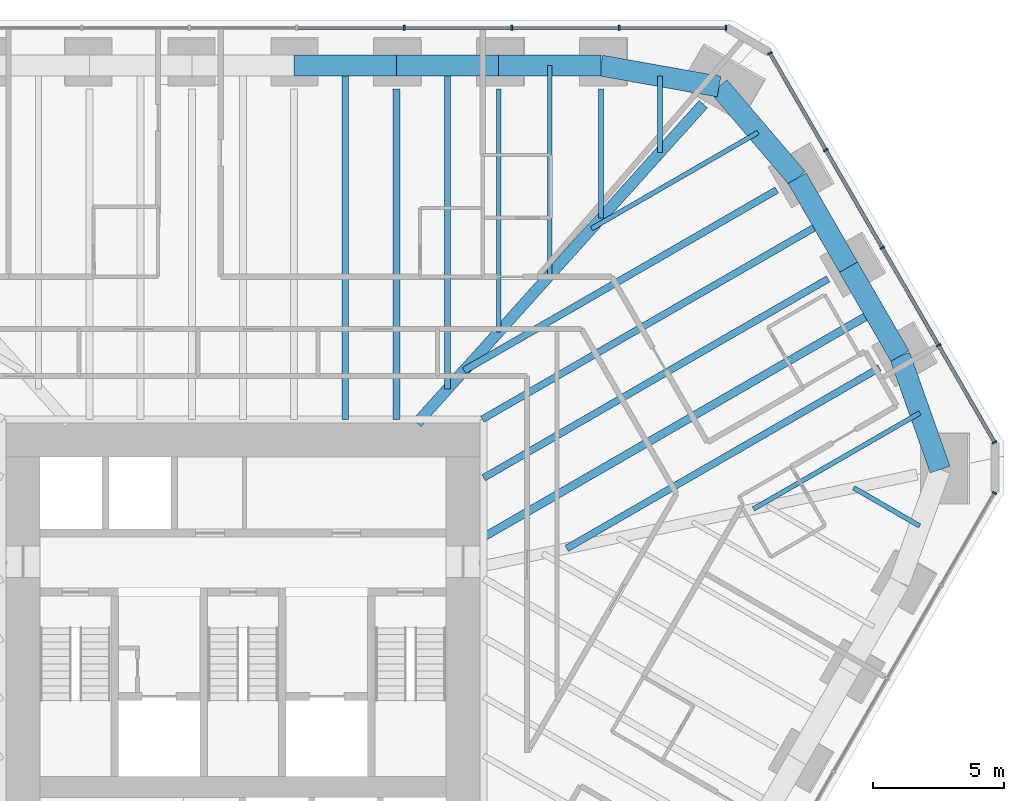
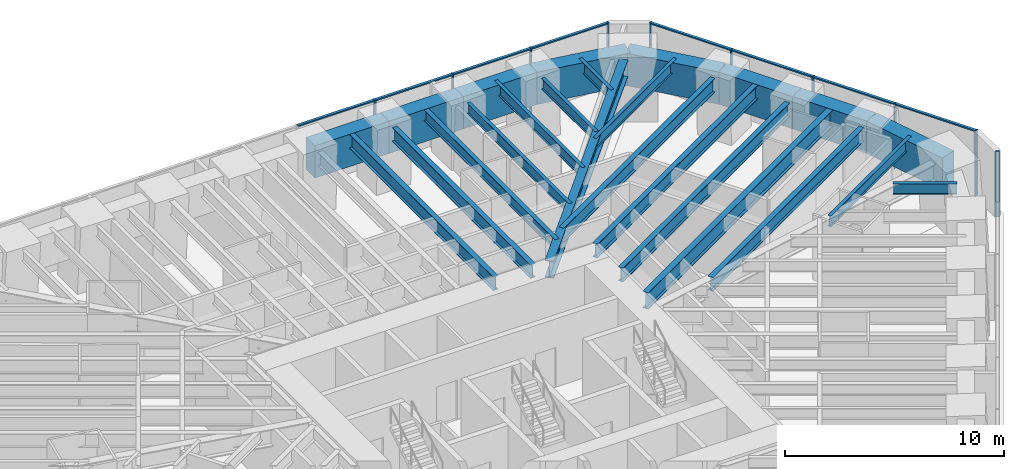
# One storey, part 9 of 17: 24 beams, 18 members, 3 elements without a shape of their own.
"""IFC4 building model written with IfcOpenShell, lengths in metres."""

from ifc_helpers import new_model, si_unit, direction, frame, origin, origin_2d, place, context, subcontext, project, spatial, rectangle, i_section, extrude, material, material_profile, profile_set, type_object, element, aggregate, save


model = new_model("IFC4")

# Units and contexts
model_context = context("Model", 3, precision=1e-05, world=origin(), true_north=direction((0.0, 1.0)))
body_context = subcontext(model_context, "Body", "Model", "MODEL_VIEW")
ifc_project = project(units=[si_unit("LENGTHUNIT", "METRE"), si_unit("AREAUNIT", "SQUARE_METRE"), si_unit("VOLUMEUNIT", "CUBIC_METRE"), si_unit("PLANEANGLEUNIT", "RADIAN"), si_unit("MASSUNIT", "GRAM", prefix="KILO")], contexts=[model_context])

# Site, building, storey
site_placement = place(None, origin())
site = spatial("IfcSite", under=ifc_project, at=site_placement, CompositionType="ELEMENT")
building_placement = place(site_placement, origin())
building = spatial("IfcBuilding", under=site, at=building_placement, Name="Sandreach Pilgrim Tower", CompositionType="ELEMENT")
storey_placement = place(building_placement, frame((0.0, 0.0, 150.0)))
storey = spatial("IfcBuildingStorey", under=building, at=storey_placement, Name="L37", CompositionType="ELEMENT", Elevation=150.0)

# Curtain wall, members
ifc_material_1 = material(Name="Aluminium framed curtain wall", Category="aluminium")
curtain_wall_type = type_object("IfcCurtainWallType", Name="Hotel tower curtain wall", PredefinedType="NOTDEFINED", material=ifc_material_1)
curtain_wall_1_placement = place(storey_placement, origin())
curtain_wall_1 = element("IfcCurtainWall", 1, at=curtain_wall_1_placement, inside=storey, type_object=curtain_wall_type, Name="CW-2 L37 N", PredefinedType="NOTDEFINED")
ifc_material_2 = material(Name="Aluminium extrusion", Category="aluminium")
ifc_material_profile_1 = material_profile(ifc_material_2, rectangle(XDim=0.06494140625, YDim=0.179931640625, at=origin_2d()), Name="CW-2M 65X180")
ifc_profile_set_1 = profile_set([ifc_material_profile_1], Name="Aluminium extrusion")
member_type_1 = type_object("IfcMemberType", Name="CW-2 mullion", PredefinedType="MULLION", material=ifc_profile_set_1)
member_1_placement = place(storey_placement, frame((6.160400390625, 22.493896484375, 0.0), z_axis=(0.0, 0.0, 1.0), x_axis=(1.0, 0.0, 0.0)))
member_1 = element("IfcMember", 2, at=member_1_placement, type_object=member_type_1, Name="CW-2 mullion 7", PredefinedType="MULLION", context=body_context, shape_type="SweptSolid", body=[
    extrude(rectangle(XDim=0.06494140625, YDim=0.179931640625, at=origin_2d()), origin(), (0.0, 0.0, 1.0), 3.639892578125),
])
member_2_placement = place(storey_placement, frame((10.267333984375, 22.493896484375, 0.0), z_axis=(0.0, 0.0, 1.0), x_axis=(1.0, 0.0, 0.0)))
member_2 = element("IfcMember", 3, at=member_2_placement, type_object=member_type_1, Name="CW-2 mullion 8", PredefinedType="MULLION", context=body_context, shape_type="SweptSolid", body=[
    extrude(rectangle(XDim=0.06494140625, YDim=0.179931640625, at=origin_2d()), origin(), (0.0, 0.0, 1.0), 3.639892578125),
])
member_3_placement = place(storey_placement, frame((14.37451171875, 22.493896484375, 0.0), z_axis=(0.0, 0.0, 1.0), x_axis=(1.0, 0.0, 0.0)))
member_3 = element("IfcMember", 4, at=member_3_placement, type_object=member_type_1, Name="CW-2 mullion 9", PredefinedType="MULLION", context=body_context, shape_type="SweptSolid", body=[
    extrude(rectangle(XDim=0.06494140625, YDim=0.179931640625, at=origin_2d()), origin(), (0.0, 0.0, 1.0), 3.639892578125),
])
member_4_placement = place(storey_placement, frame((18.448974609375, 22.493896484375, 0.0), z_axis=(0.0, 0.0, 1.0), x_axis=(1.0, 0.0, 0.0)))
member_4 = element("IfcMember", 5, at=member_4_placement, type_object=member_type_1, Name="CW-2 mullion 10", PredefinedType="MULLION", context=body_context, shape_type="SweptSolid", body=[
    extrude(rectangle(XDim=0.06494140625, YDim=0.179931640625, at=origin_2d()), origin(), (0.0, 0.0, 1.0), 3.639892578125),
])

curtain_wall_2_placement = place(storey_placement, origin())
curtain_wall_2 = element("IfcCurtainWall", 6, at=curtain_wall_2_placement, inside=storey, type_object=curtain_wall_type, Name="CW-2 L37 NE", PredefinedType="NOTDEFINED")
member_5_placement = place(storey_placement, frame((20.125732421875, 21.525634765625, 0.0), z_axis=(0.0, 0.0, 1.0), x_axis=(0.5, -0.866025403784, 0.0)))
member_5 = element("IfcMember", 7, at=member_5_placement, type_object=member_type_1, Name="CW-2 mullion 1", PredefinedType="MULLION", context=body_context, shape_type="SweptSolid", body=[
    extrude(rectangle(XDim=0.06494140625, YDim=0.179931640625, at=origin_2d()), origin(), (0.0, 0.0, 1.0), 3.639892578125),
])
member_6_placement = place(storey_placement, frame((22.262451171875, 17.824951171875, 0.0), z_axis=(0.0, 0.0, 1.0), x_axis=(0.5, -0.866025403784, 0.0)))
member_6 = element("IfcMember", 8, at=member_6_placement, type_object=member_type_1, Name="CW-2 mullion 2", PredefinedType="MULLION", context=body_context, shape_type="SweptSolid", body=[
    extrude(rectangle(XDim=0.06494140625, YDim=0.179931640625, at=origin_2d()), origin(), (0.0, 0.0, 1.0), 3.639892578125),
])
member_7_placement = place(storey_placement, frame((24.415283203125, 14.09619140625, 0.0), z_axis=(0.0, 0.0, 1.0), x_axis=(0.5, -0.866025403784, 0.0)))
member_7 = element("IfcMember", 9, at=member_7_placement, type_object=member_type_1, Name="CW-2 mullion 3", PredefinedType="MULLION", context=body_context, shape_type="SweptSolid", body=[
    extrude(rectangle(XDim=0.06494140625, YDim=0.179931640625, at=origin_2d()), origin(), (0.0, 0.0, 1.0), 3.639892578125),
])
member_8_placement = place(storey_placement, frame((26.568115234375, 10.3671875, 0.0), z_axis=(0.0, 0.0, 1.0), x_axis=(0.5, -0.866025403784, 0.0)))
member_8 = element("IfcMember", 10, at=member_8_placement, type_object=member_type_1, Name="CW-2 mullion 4", PredefinedType="MULLION", context=body_context, shape_type="SweptSolid", body=[
    extrude(rectangle(XDim=0.06494140625, YDim=0.179931640625, at=origin_2d()), origin(), (0.0, 0.0, 1.0), 3.639892578125),
])
member_9_placement = place(storey_placement, frame((28.70458984375, 6.66650390625, 0.0), z_axis=(0.0, 0.0, 1.0), x_axis=(0.5, -0.866025403784, 0.0)))
member_9 = element("IfcMember", 11, at=member_9_placement, type_object=member_type_1, Name="CW-2 mullion 5", PredefinedType="MULLION", context=body_context, shape_type="SweptSolid", body=[
    extrude(rectangle(XDim=0.06494140625, YDim=0.179931640625, at=origin_2d()), origin(), (0.0, 0.0, 1.0), 3.639892578125),
])

# Curtain wall, member
curtain_wall_3_placement = place(storey_placement, origin())
curtain_wall_3 = element("IfcCurtainWall", 12, at=curtain_wall_3_placement, inside=storey, type_object=curtain_wall_type, Name="CW-2 L37 SE", PredefinedType="NOTDEFINED")
member_10_placement = place(storey_placement, frame((28.70458984375, 4.730224609375, 0.0), z_axis=(0.0, 0.0, 1.0), x_axis=(-0.5, -0.866025403784, 0.0)))
member_10 = element("IfcMember", 13, at=member_10_placement, type_object=member_type_1, Name="CW-2 mullion 1", PredefinedType="MULLION", context=body_context, shape_type="SweptSolid", body=[
    extrude(rectangle(XDim=0.06494140625, YDim=0.179931640625, at=origin_2d()), origin(), (0.0, 0.0, 1.0), 3.639892578125),
])
aggregate(curtain_wall_3, [member_10])

# Member
ifc_material_3 = material(Name="Aluminium extrusion", Category="aluminium")
ifc_material_profile_2 = material_profile(ifc_material_3, rectangle(XDim=0.139892578125, YDim=0.070068359375, at=origin_2d()), Name="CW-2T 140X70")
ifc_profile_set_2 = profile_set([ifc_material_profile_2], Name="Aluminium extrusion")
member_type_2 = type_object("IfcMemberType", Name="CW-2 transom", PredefinedType="USERDEFINED", material=ifc_profile_set_2)
member_11_placement = place(storey_placement, frame((2.0859375, 22.493896484375, 3.60498046875), z_axis=(1.0, 0.0, 0.0), x_axis=(0.0, 1.0, 0.0)))
member_11 = element("IfcMember", 14, at=member_11_placement, type_object=member_type_2, Name="CW-2 head transom 6", ObjectType="TRANSOM", PredefinedType="USERDEFINED", context=body_context, shape_type="SweptSolid", body=[
    extrude(rectangle(XDim=0.139892578125, YDim=0.070068359375, at=origin_2d()), origin(), (0.0, 0.0, 1.0), 4.0419921875),
])

member_12_placement = place(storey_placement, frame((6.19287109375, 22.493896484375, 3.60498046875), z_axis=(1.0, 0.0, 0.0), x_axis=(0.0, 1.0, 0.0)))
member_12 = element("IfcMember", 15, at=member_12_placement, type_object=member_type_2, Name="CW-2 head transom 7", ObjectType="TRANSOM", PredefinedType="USERDEFINED", context=body_context, shape_type="SweptSolid", body=[
    extrude(rectangle(XDim=0.139892578125, YDim=0.070068359375, at=origin_2d()), origin(), (0.0, 0.0, 1.0), 4.0419921875),
])

member_13_placement = place(storey_placement, frame((10.300048828125, 22.493896484375, 3.60498046875), z_axis=(1.0, 0.0, 0.0), x_axis=(0.0, 1.0, 0.0)))
member_13 = element("IfcMember", 16, at=member_13_placement, type_object=member_type_2, Name="CW-2 head transom 8", ObjectType="TRANSOM", PredefinedType="USERDEFINED", context=body_context, shape_type="SweptSolid", body=[
    extrude(rectangle(XDim=0.139892578125, YDim=0.070068359375, at=origin_2d()), origin(), (0.0, 0.0, 1.0), 4.041748046875),
])

member_14_placement = place(storey_placement, frame((14.406982421875, 22.493896484375, 3.60498046875), z_axis=(1.0, 0.0, 0.0), x_axis=(0.0, 1.0, 0.0)))
member_14 = element("IfcMember", 17, at=member_14_placement, type_object=member_type_2, Name="CW-2 head transom 9", ObjectType="TRANSOM", PredefinedType="USERDEFINED", context=body_context, shape_type="SweptSolid", body=[
    extrude(rectangle(XDim=0.139892578125, YDim=0.070068359375, at=origin_2d()), origin(), (0.0, 0.0, 1.0), 4.00927734375),
])

aggregate(curtain_wall_1, [member_1, member_2, member_3, member_4, member_11, member_12, member_13, member_14])

member_15_placement = place(storey_placement, frame((20.14208984375, 21.49755859375, 3.60498046875), z_axis=(0.49997020258, -0.86604260665, 0.0), x_axis=(0.86604260665, 0.49997020258, 0.0)))
member_15 = element("IfcMember", 18, at=member_15_placement, type_object=member_type_2, Name="CW-2 head transom 1", ObjectType="TRANSOM", PredefinedType="USERDEFINED", context=body_context, shape_type="SweptSolid", body=[
    extrude(rectangle(XDim=0.139892578125, YDim=0.070068359375, at=origin_2d()), origin(), (0.0, 0.0, 1.0), 4.208251953125),
])

member_16_placement = place(storey_placement, frame((22.278564453125, 17.796875, 3.60498046875), z_axis=(0.499996541496, -0.866027400544, 0.0), x_axis=(0.866027400544, 0.499996541496, 0.0)))
member_16 = element("IfcMember", 19, at=member_16_placement, type_object=member_type_2, Name="CW-2 head transom 2", ObjectType="TRANSOM", PredefinedType="USERDEFINED", context=body_context, shape_type="SweptSolid", body=[
    extrude(rectangle(XDim=0.139892578125, YDim=0.070068359375, at=origin_2d()), origin(), (0.0, 0.0, 1.0), 4.24072265625),
])

member_17_placement = place(storey_placement, frame((24.431396484375, 14.06787109375, 3.60498046875), z_axis=(0.500021471012, -0.866013007135, 0.0), x_axis=(0.866013007135, 0.500021471012, 0.0)))
member_17 = element("IfcMember", 20, at=member_17_placement, type_object=member_type_2, Name="CW-2 head transom 3", ObjectType="TRANSOM", PredefinedType="USERDEFINED", context=body_context, shape_type="SweptSolid", body=[
    extrude(rectangle(XDim=0.139892578125, YDim=0.070068359375, at=origin_2d()), origin(), (0.0, 0.0, 1.0), 4.240478515625),
])

member_18_placement = place(storey_placement, frame((26.584228515625, 10.339111328125, 3.60498046875), z_axis=(0.500038835258, -0.866002981077, 0.0), x_axis=(0.866002981077, 0.500038835258, 0.0)))
member_18 = element("IfcMember", 21, at=member_18_placement, type_object=member_type_2, Name="CW-2 head transom 4", ObjectType="TRANSOM", PredefinedType="USERDEFINED", context=body_context, shape_type="SweptSolid", body=[
    extrude(rectangle(XDim=0.139892578125, YDim=0.070068359375, at=origin_2d()), origin(), (0.0, 0.0, 1.0), 4.208251953125),
])

aggregate(curtain_wall_2, [member_5, member_6, member_7, member_8, member_9, member_15, member_16, member_17, member_18])

# Beams
ifc_material_4 = material(Name="Steel ASTM A992 Grade 50", Category="steel")
ifc_material_profile_3 = material_profile(ifc_material_4, i_section(OverallWidth=0.421630859375, OverallDepth=0.95751953125, WebThickness=0.02587890625, FlangeThickness=0.046875, at=origin_2d()), Name="W36X330")
ifc_profile_set_3 = profile_set([ifc_material_profile_3], Name="Steel ASTM A992 Grade 50")
beam_type_1 = type_object("IfcBeamType", Name="Corner girder W36X330", PredefinedType="BEAM", material=ifc_profile_set_3)
beam_1_placement = place(storey_placement, frame((17.58154296875, 19.579833984375, 3.1611328125), z_axis=(-0.668114757833, -0.744058243934, 0.0), x_axis=(0.744058243934, -0.668114757833, 0.0)))
element("IfcBeam", 22, at=beam_1_placement, inside=storey, type_object=beam_type_1, Name="BM L37 CG09", PredefinedType="BEAM", context=body_context, shape_type="SweptSolid", body=[
    extrude(i_section(OverallWidth=0.421630859375, OverallDepth=0.95751953125, WebThickness=0.02587890625, FlangeThickness=0.046875, at=origin_2d()), origin(), (0.0, 0.0, 1.0), 16.36962890625),
])
ifc_material_5 = material(Name="Steel ASTM A992 Grade 50", Category="steel")
ifc_material_profile_4 = material_profile(ifc_material_5, i_section(OverallWidth=0.1787109375, OverallDepth=0.60205078125, WebThickness=0.010986328125, FlangeThickness=0.014892578125, at=origin_2d()), Name="W24X62")
ifc_profile_set_4 = profile_set([ifc_material_profile_4], Name="Steel ASTM A992 Grade 50")
beam_type_2 = type_object("IfcBeamType", Name="Floor beam W24X62", PredefinedType="BEAM", material=ifc_profile_set_4)
beam_2_placement = place(storey_placement, frame((9.7666015625, 20.154052734375, 3.339111328125), z_axis=(0.0, -1.0, 0.0), x_axis=(1.0, 0.0, 0.0)))
element("IfcBeam", 23, at=beam_2_placement, inside=storey, type_object=beam_type_2, Name="BM L37 F07", PredefinedType="BEAM", context=body_context, shape_type="SweptSolid", body=[
    extrude(i_section(OverallWidth=0.1787109375, OverallDepth=0.60205078125, WebThickness=0.010986328125, FlangeThickness=0.014892578125, at=origin_2d()), origin(), (0.0, 0.0, 1.0), 9.27734375),
])
beam_3_placement = place(storey_placement, frame((13.673095703125, 20.154052734375, 3.339111328125), z_axis=(0.0, -1.0, 0.0), x_axis=(1.0, 0.0, 0.0)))
element("IfcBeam", 24, at=beam_3_placement, inside=storey, type_object=beam_type_2, Name="BM L37 F08", PredefinedType="BEAM", context=body_context, shape_type="SweptSolid", body=[
    extrude(i_section(OverallWidth=0.1787109375, OverallDepth=0.60205078125, WebThickness=0.010986328125, FlangeThickness=0.014892578125, at=origin_2d()), origin(), (0.0, 0.0, 1.0), 4.9267578125),
])
beam_4_placement = place(storey_placement, frame((11.7197265625, 21.053955078125, 3.339111328125), z_axis=(0.0, -1.0, 0.0), x_axis=(1.0, 0.0, 0.0)))
element("IfcBeam", 25, at=beam_4_placement, inside=storey, type_object=beam_type_2, Name="BM L37 FM07", PredefinedType="BEAM", context=body_context, shape_type="SweptSolid", body=[
    extrude(i_section(OverallWidth=0.1787109375, OverallDepth=0.60205078125, WebThickness=0.010986328125, FlangeThickness=0.014892578125, at=origin_2d()), origin(), (0.0, 0.0, 1.0), 8.001953125),
])
beam_5_placement = place(storey_placement, frame((15.927978515625, 20.65185546875, 3.339111328125), z_axis=(0.0, -1.0, 0.0), x_axis=(1.0, 0.0, 0.0)))
element("IfcBeam", 26, at=beam_5_placement, inside=storey, type_object=beam_type_2, Name="BM L37 FM08", PredefinedType="BEAM", context=body_context, shape_type="SweptSolid", body=[
    extrude(i_section(OverallWidth=0.1787109375, OverallDepth=0.60205078125, WebThickness=0.010986328125, FlangeThickness=0.014892578125, at=origin_2d()), origin(), (0.0, 0.0, 1.0), 2.913330078125),
])
for number, where, z_axis, x_axis, name in (
    (27, (19.675537109375, 18.5, 3.339111328125), (-0.866033942116, -0.499985210883, 0.0), (0.499985210883, -0.866033942116, 0.0), "BM L37 FM09"),
    (28, (25.859375, 7.78955078125, 3.339111328125), (-0.866019551165, -0.500010136897, 0.0), (0.500010136897, -0.866019551165, 0.0), "BM L37 FM12"),
):
    element("IfcBeam", number, at=place(storey_placement, frame(where, z_axis=z_axis, x_axis=x_axis)), inside=storey, type_object=beam_type_2, Name=name, PredefinedType="BEAM", context=body_context, shape_type="SweptSolid", body=[
        extrude(i_section(OverallWidth=0.1787109375, OverallDepth=0.60205078125, WebThickness=0.010986328125, FlangeThickness=0.014892578125, at=origin_2d()), origin(), (0.0, 0.0, 1.0), 7.345947265625),
    ])
beam_6_placement = place(storey_placement, frame((25.84912109375, 3.46826171875, 3.339111328125), z_axis=(-0.866058604602, 0.499942490088, 0.0), x_axis=(-0.499942490088, -0.866058604602, 0.0)))
element("IfcBeam", 29, at=beam_6_placement, inside=storey, type_object=beam_type_2, Name="BM L37 FM13", PredefinedType="BEAM", context=body_context, shape_type="SweptSolid", body=[
    extrude(i_section(OverallWidth=0.1787109375, OverallDepth=0.60205078125, WebThickness=0.010986328125, FlangeThickness=0.014892578125, at=origin_2d()), origin(), (0.0, 0.0, 1.0), 2.913330078125),
])
ifc_material_6 = material(Name="Steel ASTM A992 Grade 50", Category="steel")
ifc_material_profile_5 = material_profile(ifc_material_6, i_section(OverallWidth=0.23046875, OverallDepth=0.6171875, WebThickness=0.01318359375, FlangeThickness=0.022216796875, at=origin_2d()), Name="W24X94")
ifc_profile_set_5 = profile_set([ifc_material_profile_5], Name="Steel ASTM A992 Grade 50")
beam_type_3 = type_object("IfcBeamType", Name="Floor beam W24X94", PredefinedType="BEAM", material=ifc_profile_set_5)
beam_7_placement = place(storey_placement, frame((7.813232421875, 21.053955078125, 3.331298828125), z_axis=(0.0, -1.0, 0.0), x_axis=(1.0, 0.0, 0.0)))
element("IfcBeam", 30, at=beam_7_placement, inside=storey, type_object=beam_type_3, Name="BM L37 FM06", PredefinedType="BEAM", context=body_context, shape_type="SweptSolid", body=[
    extrude(i_section(OverallWidth=0.23046875, OverallDepth=0.6171875, WebThickness=0.01318359375, FlangeThickness=0.022216796875, at=origin_2d()), origin(), (0.0, 0.0, 1.0), 12.352783203125),
])
ifc_material_7 = material(Name="Steel ASTM A992 Grade 50", Category="steel")
ifc_material_profile_6 = material_profile(ifc_material_7, i_section(OverallWidth=0.2666015625, OverallDepth=0.761962890625, WebThickness=0.014404296875, FlangeThickness=0.021484375, at=origin_2d()), Name="W30X116")
ifc_profile_set_6 = profile_set([ifc_material_profile_6], Name="Steel ASTM A992 Grade 50")
beam_type_4 = type_object("IfcBeamType", Name="Floor beam W30X116", PredefinedType="BEAM", material=ifc_profile_set_6)
beam_8_placement = place(storey_placement, frame((5.85986328125, 20.154052734375, 3.259033203125), z_axis=(0.0, -1.0, 0.0), x_axis=(1.0, 0.0, 0.0)))
element("IfcBeam", 31, at=beam_8_placement, inside=storey, type_object=beam_type_4, Name="BM L37 F06", PredefinedType="BEAM", context=body_context, shape_type="SweptSolid", body=[
    extrude(i_section(OverallWidth=0.2666015625, OverallDepth=0.761962890625, WebThickness=0.014404296875, FlangeThickness=0.021484375, at=origin_2d()), origin(), (0.0, 0.0, 1.0), 12.610595703125),
])
for number, where, z_axis, x_axis, name in (
    (32, (20.388916015625, 16.300537109375, 3.259033203125), (-0.866023159588, -0.500003887042, 0.0), (0.500003887042, -0.866023159588, 0.0), "BM L37 F10"),
    (33, (24.31103515625, 9.507080078125, 3.259033203125), (-0.866023159588, -0.500003887042, 0.0), (0.500003887042, -0.866023159588, 0.0), "BM L37 F12"),
):
    element("IfcBeam", number, at=place(storey_placement, frame(where, z_axis=z_axis, x_axis=x_axis)), inside=storey, type_object=beam_type_4, Name=name, PredefinedType="BEAM", context=body_context, shape_type="SweptSolid", body=[
        extrude(i_section(OverallWidth=0.2666015625, OverallDepth=0.761962890625, WebThickness=0.014404296875, FlangeThickness=0.021484375, at=origin_2d()), origin(), (0.0, 0.0, 1.0), 13.7919921875),
    ])
beam_9_placement = place(storey_placement, frame((3.906494140625, 21.053955078125, 3.259033203125), z_axis=(0.0, -1.0, 0.0), x_axis=(1.0, 0.0, 0.0)))
element("IfcBeam", 34, at=beam_9_placement, inside=storey, type_object=beam_type_4, Name="BM L37 FM05", PredefinedType="BEAM", context=body_context, shape_type="SweptSolid", body=[
    extrude(i_section(OverallWidth=0.2666015625, OverallDepth=0.761962890625, WebThickness=0.014404296875, FlangeThickness=0.021484375, at=origin_2d()), origin(), (0.0, 0.0, 1.0), 13.510498046875),
])
ifc_material_8 = material(Name="Steel ASTM A992 Grade 50", Category="steel")
ifc_material_profile_7 = material_profile(ifc_material_8, i_section(OverallWidth=0.2666015625, OverallDepth=0.77978515625, WebThickness=0.0166015625, FlangeThickness=0.030029296875, at=origin_2d()), Name="W30X148")
ifc_profile_set_7 = profile_set([ifc_material_profile_7], Name="Steel ASTM A992 Grade 50")
beam_type_5 = type_object("IfcBeamType", Name="Floor beam W30X148", PredefinedType="BEAM", material=ifc_profile_set_7)
beam_10_placement = place(storey_placement, frame((22.35009765625, 12.90380859375, 3.25), z_axis=(-0.866028229025, -0.499995106507, 0.0), x_axis=(0.499995106507, -0.866028229025, 0.0)))
element("IfcBeam", 35, at=beam_10_placement, inside=storey, type_object=beam_type_5, Name="BM L37 F11", PredefinedType="BEAM", context=body_context, shape_type="SweptSolid", body=[
    extrude(i_section(OverallWidth=0.2666015625, OverallDepth=0.77978515625, WebThickness=0.0166015625, FlangeThickness=0.030029296875, at=origin_2d()), origin(), (0.0, 0.0, 1.0), 15.192138671875),
])
beam_11_placement = place(storey_placement, frame((22.14892578125, 15.05224609375, 3.25), z_axis=(-0.866025588148, -0.499999680672, 0.0), x_axis=(0.499999680672, -0.866025588148, 0.0)))
element("IfcBeam", 36, at=beam_11_placement, inside=storey, type_object=beam_type_5, Name="BM L37 FM10", PredefinedType="BEAM", context=body_context, shape_type="SweptSolid", body=[
    extrude(i_section(OverallWidth=0.2666015625, OverallDepth=0.77978515625, WebThickness=0.0166015625, FlangeThickness=0.030029296875, at=origin_2d()), origin(), (0.0, 0.0, 1.0), 15.017578125),
])
ifc_material_9 = material(Name="Steel ASTM A992 Grade 50", Category="steel")
ifc_material_profile_8 = material_profile(ifc_material_9, i_section(OverallWidth=0.3046875, OverallDepth=0.914306640625, WebThickness=0.0166015625, FlangeThickness=0.02587890625, at=origin_2d()), Name="W36X160")
ifc_profile_set_8 = profile_set([ifc_material_profile_8], Name="Steel ASTM A992 Grade 50")
beam_type_6 = type_object("IfcBeamType", Name="Floor beam W36X160", PredefinedType="BEAM", material=ifc_profile_set_8)
beam_12_placement = place(storey_placement, frame((24.110107421875, 11.655517578125, 3.182861328125), z_axis=(-0.866022482888, -0.500005059107, 0.0), x_axis=(0.500005059107, -0.866022482888, 0.0)))
element("IfcBeam", 37, at=beam_12_placement, inside=storey, type_object=beam_type_6, Name="BM L37 FM11", PredefinedType="BEAM", context=body_context, shape_type="SweptSolid", body=[
    extrude(i_section(OverallWidth=0.3046875, OverallDepth=0.914306640625, WebThickness=0.0166015625, FlangeThickness=0.02587890625, at=origin_2d()), origin(), (0.0, 0.0, 1.0), 17.224365234375),
])
ifc_material_10 = material(Name="Concrete 10000 psi", Category="concrete")
ifc_material_profile_9 = material_profile(ifc_material_10, rectangle(XDim=0.800048828125, YDim=1.800048828125, at=origin_2d()), Name="RC800X1800")
ifc_profile_set_9 = profile_set([ifc_material_profile_9], Name="Concrete 10000 psi")
beam_type_7 = type_object("IfcBeamType", Name="Spandrel beam RC800X1800", PredefinedType="SPANDREL", material=ifc_profile_set_9)
beam_13_placement = place(storey_placement, frame((1.953369140625, 21.053955078125, 2.739990234375), z_axis=(1.0, 0.0, 0.0), x_axis=(0.0, 1.0, 0.0)))
element("IfcBeam", 38, at=beam_13_placement, inside=storey, type_object=beam_type_7, Name="BM L37 SP05", PredefinedType="SPANDREL", context=body_context, shape_type="SweptSolid", body=[
    extrude(rectangle(XDim=0.800048828125, YDim=1.800048828125, at=origin_2d()), origin(), (0.0, 0.0, 1.0), 3.906494140625),
])
beam_14_placement = place(storey_placement, frame((5.85986328125, 21.053955078125, 2.739990234375), z_axis=(1.0, 0.0, 0.0), x_axis=(0.0, 1.0, 0.0)))
element("IfcBeam", 39, at=beam_14_placement, inside=storey, type_object=beam_type_7, Name="BM L37 SP06", PredefinedType="SPANDREL", context=body_context, shape_type="SweptSolid", body=[
    extrude(rectangle(XDim=0.800048828125, YDim=1.800048828125, at=origin_2d()), origin(), (0.0, 0.0, 1.0), 3.90673828125),
])
beam_15_placement = place(storey_placement, frame((9.7666015625, 21.053955078125, 2.739990234375), z_axis=(1.0, 0.0, 0.0), x_axis=(0.0, 1.0, 0.0)))
element("IfcBeam", 40, at=beam_15_placement, inside=storey, type_object=beam_type_7, Name="BM L37 SP07", PredefinedType="SPANDREL", context=body_context, shape_type="SweptSolid", body=[
    extrude(rectangle(XDim=0.800048828125, YDim=1.800048828125, at=origin_2d()), origin(), (0.0, 0.0, 1.0), 3.906494140625),
])
beam_16_placement = place(storey_placement, frame((13.673095703125, 21.053955078125, 2.739990234375), z_axis=(0.984460496882, -0.175606178932, 0.0), x_axis=(0.175606178932, 0.984460496882, 0.0)))
element("IfcBeam", 41, at=beam_16_placement, inside=storey, type_object=beam_type_7, Name="BM L37 SP08", PredefinedType="SPANDREL", context=body_context, shape_type="SweptSolid", body=[
    extrude(rectangle(XDim=0.800048828125, YDim=1.800048828125, at=origin_2d()), origin(), (0.0, 0.0, 1.0), 4.5810546875),
])
beam_17_placement = place(storey_placement, frame((18.182861328125, 20.24951171875, 2.739990234375), z_axis=(0.649058659157, -0.760738363022, 0.0), x_axis=(0.760738363022, 0.649058659157, 0.0)))
element("IfcBeam", 42, at=beam_17_placement, inside=storey, type_object=beam_type_7, Name="BM L37 SP09", PredefinedType="SPANDREL", context=body_context, shape_type="SweptSolid", body=[
    extrude(rectangle(XDim=0.800048828125, YDim=1.800048828125, at=origin_2d()), origin(), (0.0, 0.0, 1.0), 4.599609375),
])
for number, where, z_axis, x_axis, name in (
    (43, (21.168212890625, 16.75048828125, 2.739990234375), (0.500015205077, -0.866016624951, 0.0), (0.866016624951, 0.500015205077, 0.0), "BM L37 SP10"),
    (44, (23.12939453125, 13.353759765625, 2.739990234375), (0.500015205077, -0.866016624951, 0.0), (0.866016624951, 0.500015205077, 0.0), "BM L37 SP11"),
):
    element("IfcBeam", number, at=place(storey_placement, frame(where, z_axis=z_axis, x_axis=x_axis)), inside=storey, type_object=beam_type_7, Name=name, PredefinedType="SPANDREL", context=body_context, shape_type="SweptSolid", body=[
        extrude(rectangle(XDim=0.800048828125, YDim=1.800048828125, at=origin_2d()), origin(), (0.0, 0.0, 1.0), 3.92236328125),
    ])
beam_18_placement = place(storey_placement, frame((25.090576171875, 9.95703125, 2.739990234375), z_axis=(0.334291224315, -0.942469828348, 0.0), x_axis=(0.942469828348, 0.334291224315, 0.0)))
element("IfcBeam", 45, at=beam_18_placement, inside=storey, type_object=beam_type_7, Name="BM L37 SP12", PredefinedType="SPANDREL", context=body_context, shape_type="SweptSolid", body=[
    extrude(rectangle(XDim=0.800048828125, YDim=1.800048828125, at=origin_2d()), origin(), (0.0, 0.0, 1.0), 4.599609375),
])

save(model, "model.ifc")
